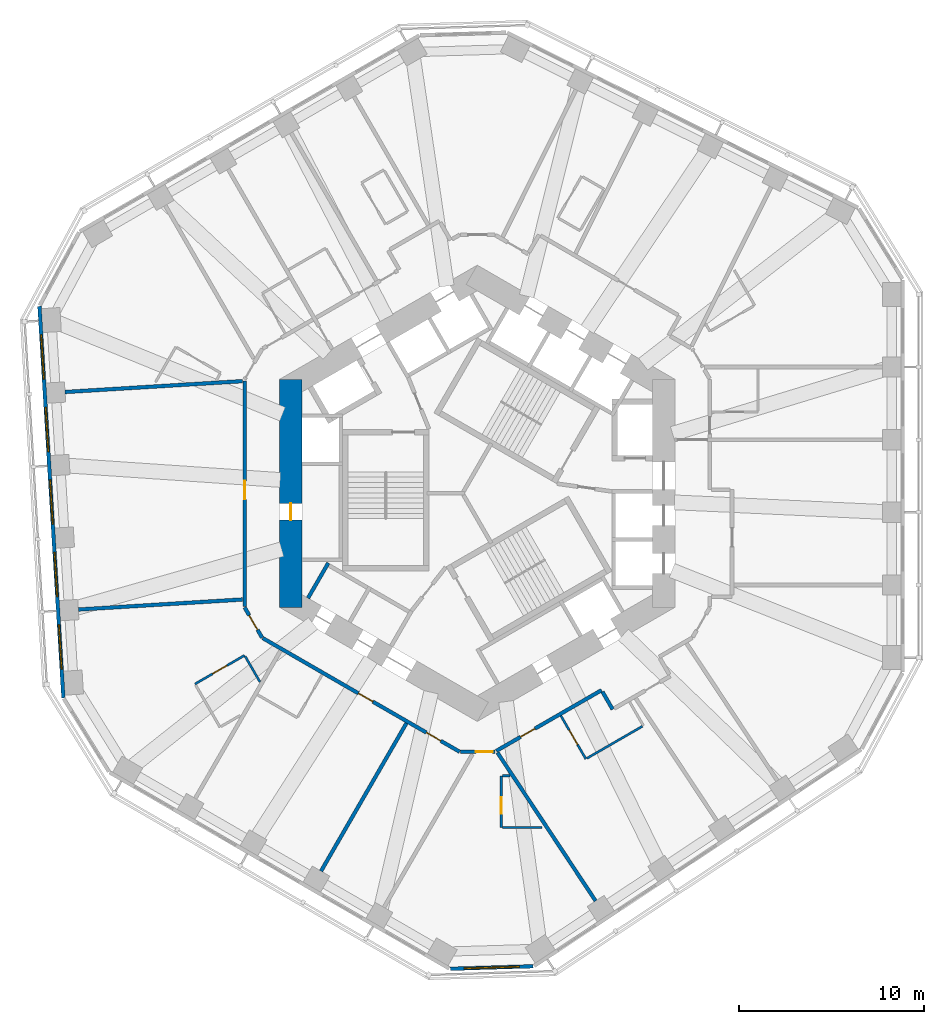
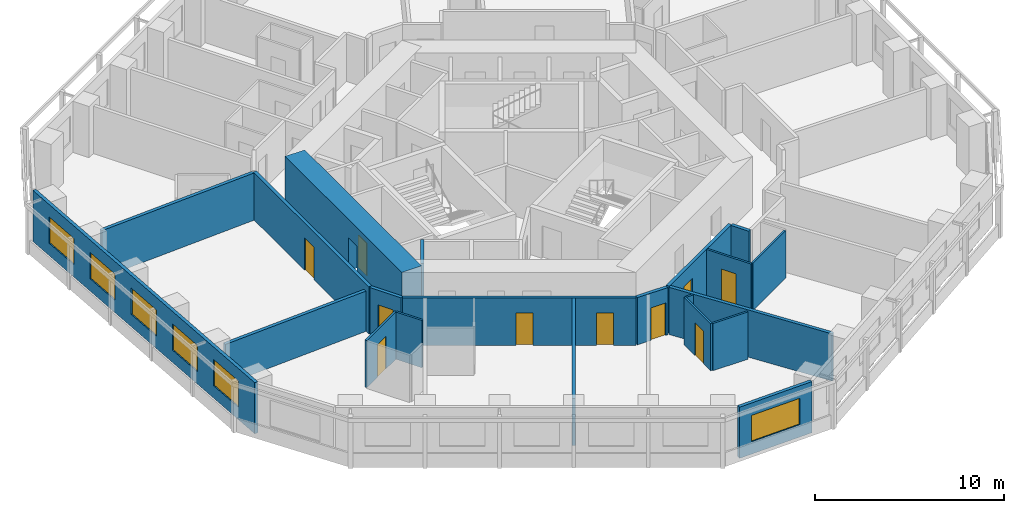
# One storey, part 4 of 12: 21 walls, 10 doors, 6 windows, 16 openings.
"""IFC4 building model written with IfcOpenShell, lengths in metres."""

from ifc_helpers import new_model, si_unit, direction, frame, frame_2d, origin, place, context, subcontext, project, spatial, rectangle, extrude, material, layer, layer_set, type_object, element, fill, save


model = new_model("IFC4")

# Units and contexts
model_context = context("Model", 3, precision=1e-05, world=origin(), true_north=direction((0.0, 1.0)))
body_context = subcontext(model_context, "Body", "Model", "MODEL_VIEW")
ifc_project = project(units=[si_unit("LENGTHUNIT", "METRE"), si_unit("AREAUNIT", "SQUARE_METRE"), si_unit("VOLUMEUNIT", "CUBIC_METRE"), si_unit("PLANEANGLEUNIT", "RADIAN"), si_unit("MASSUNIT", "GRAM", prefix="KILO")], contexts=[model_context])

# Site, building, storey
site_placement = place(None, origin())
site = spatial("IfcSite", under=ifc_project, at=site_placement, CompositionType="ELEMENT")
building_placement = place(site_placement, origin())
building = spatial("IfcBuilding", under=site, at=building_placement, Name="Vanh Sen Convention Tower", CompositionType="ELEMENT")
storey_placement = place(building_placement, frame((0.0, 0.0, 110.0)))
storey = spatial("IfcBuildingStorey", under=building, at=storey_placement, Name="L26", CompositionType="ELEMENT", Elevation=110.0)

# Wall, opening, door
ifc_material_1 = material(Name="Moisture-resistant gypsum board on steel studs", Category="steel")
ifc_layer_1 = layer(ifc_material_1, 0.1201171875)
ifc_layer_set_1 = layer_set([ifc_layer_1], Name="Moisture-resistant gypsum board on steel studs")
wall_type_1 = type_object("IfcWallType", Name="Bathroom partition 120", PredefinedType="PARTITIONING", material=ifc_layer_set_1)
wall_1_placement = place(storey_placement, frame((-15.285400390625, -10.326171875, 0.0), z_axis=(0.0, 0.0, 1.0), x_axis=(0.86600983753, 0.500026960575, 0.0)))
wall_1 = element("IfcWall", 1, at=wall_1_placement, inside=storey, type_object=wall_type_1, Name="Bathroom partition 120", PredefinedType="PARTITIONING", context=body_context, shape_type="SweptSolid", body=[
    extrude(rectangle(XDim=3.099853515625, YDim=0.1201171875, at=frame_2d((1.5498046875, 0.0))), origin(), (0.0, 0.0, 1.0), 3.050048828125),
])
opening_1_placement = place(wall_1_placement, frame((1.10009765625, 0.0, 0.0)))
opening_1 = element("IfcOpeningElement", 2, at=opening_1_placement, cuts=wall_1, Name="Opening D25120", PredefinedType="OPENING", context=body_context, shape_type="SweptSolid", body=[
    extrude(rectangle(XDim=0.89990234375, YDim=2.10009765625, at=frame_2d((0.449951171875, 1.050048828125))), frame((0.0, 0.070068359375, 0.0), z_axis=(0.0, -1.0, 0.0), x_axis=(1.0, 0.0, 0.0)), (0.0, 0.0, 1.0), 0.14013671875),
])
ifc_material_2 = material(Name="Laminate door in steel frame", Category="steel")
door_type_1 = type_object("IfcDoorType", Name="En-suite door 900", OperationType="SINGLE_SWING_LEFT", PredefinedType="DOOR", material=ifc_material_2)
door_1_placement = place(opening_1_placement, origin())
door_1 = element("IfcDoor", 3, at=door_1_placement, inside=storey, type_object=door_type_1, Name="En-suite door D25120", OperationType="SINGLE_SWING_LEFT", OverallHeight=2.10009765625, OverallWidth=0.89990234375, PredefinedType="DOOR", context=body_context, shape_type="SweptSolid", body=[
    extrude(rectangle(XDim=0.89990234375, YDim=2.10009765625, at=frame_2d((0.449951171875, 1.050048828125))), frame((0.0, 0.02490234375, 0.0), z_axis=(0.0, -1.0, 0.0), x_axis=(1.0, 0.0, 0.0)), (0.0, 0.0, 1.0), 0.050048828125),
])
fill(opening_1, door_1)

# Wall
wall_2_placement = place(storey_placement, frame((-12.57080078125, -8.828125, 0.0), z_axis=(0.0, 0.0, 1.0), x_axis=(0.499960029081, -0.866048479775, 0.0)))
element("IfcWall", 4, at=wall_2_placement, inside=storey, type_object=wall_type_1, Name="Bathroom partition 120", PredefinedType="PARTITIONING", context=body_context, shape_type="SweptSolid", body=[
    extrude(rectangle(XDim=1.601318359375, YDim=0.1201171875, at=frame_2d((0.80078125, 0.0))), origin(), (0.0, 0.0, 1.0), 3.050048828125),
])

# Wall, opening, door
wall_3_placement = place(storey_placement, frame((1.300048828125, -18.1005859375, 0.0), z_axis=(0.0, 0.0, 1.0), x_axis=(0.0, 1.0, 0.0)))
wall_3 = element("IfcWall", 5, at=wall_3_placement, inside=storey, type_object=wall_type_1, Name="Bathroom partition 120", PredefinedType="PARTITIONING", context=body_context, shape_type="SweptSolid", body=[
    extrude(rectangle(XDim=2.7998046875, YDim=0.1201171875, at=frame_2d((1.39990234375, 0.0))), origin(), (0.0, 0.0, 1.0), 3.050048828125),
])
opening_2_placement = place(wall_3_placement, frame((0.75, 0.0, 0.0)))
opening_2 = element("IfcOpeningElement", 6, at=opening_2_placement, cuts=wall_3, Name="Opening D25125", PredefinedType="OPENING", context=body_context, shape_type="SweptSolid", body=[
    extrude(rectangle(XDim=0.89990234375, YDim=2.10009765625, at=frame_2d((0.449951171875, 1.050048828125))), frame((0.0, 0.070068359375, 0.0), z_axis=(0.0, -1.0, 0.0), x_axis=(1.0, 0.0, 0.0)), (0.0, 0.0, 1.0), 0.14013671875),
])
door_2_placement = place(opening_2_placement, origin())
door_2 = element("IfcDoor", 7, at=door_2_placement, inside=storey, type_object=door_type_1, Name="En-suite door D25125", OperationType="SINGLE_SWING_LEFT", OverallHeight=2.10009765625, OverallWidth=0.89990234375, PredefinedType="DOOR", context=body_context, shape_type="SweptSolid", body=[
    extrude(rectangle(XDim=0.89990234375, YDim=2.10009765625, at=frame_2d((0.449951171875, 1.050048828125))), frame((0.0, 0.02490234375, 0.0), z_axis=(0.0, -1.0, 0.0), x_axis=(1.0, 0.0, 0.0)), (0.0, 0.0, 1.0), 0.050048828125),
])
fill(opening_2, door_2)

# Walls
wall_4_placement = place(storey_placement, frame((1.360107421875, -15.30078125, 0.0), z_axis=(0.0, 0.0, 1.0), x_axis=(1.0, 0.0, 0.0)))
element("IfcWall", 8, at=wall_4_placement, inside=storey, type_object=wall_type_1, Name="Bathroom partition 120", PredefinedType="PARTITIONING", context=body_context, shape_type="SweptSolid", body=[
    extrude(rectangle(XDim=0.415771484375, YDim=0.1201171875, at=frame_2d((0.2080078125, 0.0))), origin(), (0.0, 0.0, 1.0), 3.050048828125),
])
wall_5_placement = place(storey_placement, frame((3.5, -18.1005859375, 0.0), z_axis=(0.0, 0.0, 1.0), x_axis=(-1.0, 0.0, 0.0)))
element("IfcWall", 9, at=wall_5_placement, inside=storey, type_object=wall_type_1, Name="Bathroom partition 120", PredefinedType="PARTITIONING", context=body_context, shape_type="SweptSolid", body=[
    extrude(rectangle(XDim=2.139892578125, YDim=0.1201171875, at=frame_2d((1.06982421875, 0.0))), origin(), (0.0, 0.0, 1.0), 3.050048828125),
])

# Wall, opening, door
wall_6_placement = place(storey_placement, frame((5.880615234375, -14.38720703125, 0.0), z_axis=(0.0, 0.0, 1.0), x_axis=(-0.500048589285, 0.86599734893, 0.0)))
wall_6 = element("IfcWall", 10, at=wall_6_placement, inside=storey, type_object=wall_type_1, Name="Bathroom partition 120", PredefinedType="PARTITIONING", context=body_context, shape_type="SweptSolid", body=[
    extrude(rectangle(XDim=2.699951171875, YDim=0.1201171875, at=frame_2d((1.35009765625, 0.0))), origin(), (0.0, 0.0, 1.0), 3.050048828125),
])
opening_3_placement = place(wall_6_placement, frame((0.89990234375, 0.0, 0.0)))
opening_3 = element("IfcOpeningElement", 11, at=opening_3_placement, cuts=wall_6, Name="Opening D25127", PredefinedType="OPENING", context=body_context, shape_type="SweptSolid", body=[
    extrude(rectangle(XDim=0.89990234375, YDim=2.10009765625, at=frame_2d((0.449951171875, 1.050048828125))), frame((0.0, 0.070068359375, 0.0), z_axis=(0.0, -1.0, 0.0), x_axis=(1.0, 0.0, 0.0)), (0.0, 0.0, 1.0), 0.14013671875),
])
door_3_placement = place(opening_3_placement, origin())
door_3 = element("IfcDoor", 12, at=door_3_placement, inside=storey, type_object=door_type_1, Name="En-suite door D25127", OperationType="SINGLE_SWING_LEFT", OverallHeight=2.10009765625, OverallWidth=0.89990234375, PredefinedType="DOOR", context=body_context, shape_type="SweptSolid", body=[
    extrude(rectangle(XDim=0.89990234375, YDim=2.10009765625, at=frame_2d((0.449951171875, 1.050048828125))), frame((0.0, 0.02490234375, 0.0), z_axis=(0.0, -1.0, 0.0), x_axis=(1.0, 0.0, 0.0)), (0.0, 0.0, 1.0), 0.050048828125),
])
fill(opening_3, door_3)

# Wall
wall_7_placement = place(storey_placement, frame((8.9462890625, -12.6171875, 0.0), z_axis=(0.0, 0.0, 1.0), x_axis=(-0.865989304205, -0.500062521093, 0.0)))
element("IfcWall", 13, at=wall_7_placement, inside=storey, type_object=wall_type_1, Name="Bathroom partition 120", PredefinedType="PARTITIONING", context=body_context, shape_type="SweptSolid", body=[
    extrude(rectangle(XDim=3.47998046875, YDim=0.1201171875, at=frame_2d((1.739990234375, 0.0))), origin(), (0.0, 0.0, 1.0), 3.050048828125),
])

# Wall, opening, door
ifc_material_3 = material(Name="Concrete C80/95", Category="concrete")
ifc_layer_2 = layer(ifc_material_3, 1.199951171875)
ifc_layer_set_2 = layer_set([ifc_layer_2], Name="Concrete C80/95")
wall_type_2 = type_object("IfcWallType", Name="Core outer wall 1200 C80/95", PredefinedType="SHEAR", material=ifc_layer_set_2)
wall_8_placement = place(storey_placement, frame((-10.10009765625, 6.177490234375, 0.0), z_axis=(0.0, 0.0, 1.0), x_axis=(0.0, -1.0, 0.0)))
wall_8 = element("IfcWall", 14, at=wall_8_placement, inside=storey, type_object=wall_type_2, Name="Core wall face W L26", PredefinedType="SHEAR", context=body_context, shape_type="SweptSolid", body=[
    extrude(rectangle(XDim=12.35498046875, YDim=1.199951171875, at=frame_2d((6.177490234375, 0.0))), origin(), (0.0, 0.0, 1.0), 3.300048828125),
])
opening_4_placement = place(wall_8_placement, frame((6.7275390625, 0.0, 0.0)))
opening_4 = element("IfcOpeningElement", 15, at=opening_4_placement, cuts=wall_8, Name="Opening D25010", PredefinedType="OPENING", context=body_context, shape_type="SweptSolid", body=[
    extrude(rectangle(XDim=0.89990234375, YDim=2.10009765625, at=frame_2d((0.449951171875, 1.050048828125))), frame((0.0, 0.60986328125, 0.0), z_axis=(0.0, -1.0, 0.0), x_axis=(1.0, 0.0, 0.0)), (0.0, 0.0, 1.0), 1.219970703125),
])
ifc_material_4 = material(Name="Steel S355", Category="steel")
door_type_2 = type_object("IfcDoorType", Name="Plant door 900", OperationType="SINGLE_SWING_LEFT", PredefinedType="DOOR", material=ifc_material_4)
door_4_placement = place(opening_4_placement, origin())
door_4 = element("IfcDoor", 16, at=door_4_placement, inside=storey, type_object=door_type_2, Name="Plant door D25010", OperationType="SINGLE_SWING_LEFT", OverallHeight=2.10009765625, OverallWidth=0.89990234375, PredefinedType="DOOR", context=body_context, shape_type="SweptSolid", body=[
    extrude(rectangle(XDim=0.89990234375, YDim=2.10009765625, at=frame_2d((0.449951171875, 1.050048828125))), frame((0.0, 0.02490234375, 0.0), z_axis=(0.0, -1.0, 0.0), x_axis=(1.0, 0.0, 0.0)), (0.0, 0.0, 1.0), 0.050048828125),
])
fill(opening_4, door_4)

ifc_material_5 = material(Name="Gypsum board on steel studs with mineral wool", Category="steel")
ifc_layer_3 = layer(ifc_material_5, 0.199951171875)
ifc_layer_set_3 = layer_set([ifc_layer_3], Name="Gypsum board on steel studs with mineral wool")
wall_type_3 = type_object("IfcWallType", Name="Corridor partition wall 200", PredefinedType="PARTITIONING", material=ifc_layer_set_3)
wall_9_placement = place(storey_placement, frame((-12.60009765625, -6.177490234375, 0.0), z_axis=(0.0, 0.0, 1.0), x_axis=(0.500063520245, -0.865988727248, 0.0)))
wall_9 = element("IfcWall", 17, at=wall_9_placement, inside=storey, type_object=wall_type_3, Name="Corridor partition wall 200", PredefinedType="PARTITIONING", context=body_context, shape_type="SweptSolid", body=[
    extrude(rectangle(XDim=1.900146484375, YDim=0.199951171875, at=frame_2d((0.9501953125, 0.0))), origin(), (0.0, 0.0, 1.0), 3.050048828125),
])
opening_5_placement = place(wall_9_placement, frame((0.5, 0.0, 0.0)))
opening_5 = element("IfcOpeningElement", 18, at=opening_5_placement, cuts=wall_9, Name="Opening D25119", PredefinedType="OPENING", context=body_context, shape_type="SweptSolid", body=[
    extrude(rectangle(XDim=0.89990234375, YDim=2.10009765625, at=frame_2d((0.449951171875, 1.050048828125))), frame((0.0, 0.10986328125, 0.0), z_axis=(0.0, -1.0, 0.0), x_axis=(1.0, 0.0, 0.0)), (0.0, 0.0, 1.0), 0.219970703125),
])
ifc_material_6 = material(Name="Timber fire door in steel frame", Category="steel")
door_type_3 = type_object("IfcDoorType", Name="Guest room door 900", OperationType="SINGLE_SWING_LEFT", PredefinedType="DOOR", material=ifc_material_6)
door_5_placement = place(opening_5_placement, origin())
door_5 = element("IfcDoor", 19, at=door_5_placement, inside=storey, type_object=door_type_3, Name="Hotel guest room door D25119", OperationType="SINGLE_SWING_LEFT", OverallHeight=2.10009765625, OverallWidth=0.89990234375, PredefinedType="DOOR", context=body_context, shape_type="SweptSolid", body=[
    extrude(rectangle(XDim=0.89990234375, YDim=2.10009765625, at=frame_2d((0.449951171875, 1.050048828125))), frame((0.0, 0.02490234375, 0.0), z_axis=(0.0, -1.0, 0.0), x_axis=(1.0, 0.0, 0.0)), (0.0, 0.0, 1.0), 0.050048828125),
])
fill(opening_5, door_5)

wall_10_placement = place(storey_placement, frame((-12.60009765625, 6.081298828125, 0.0), z_axis=(0.0, 0.0, 1.0), x_axis=(0.0, -1.0, 0.0)))
wall_10 = element("IfcWall", 20, at=wall_10_placement, inside=storey, type_object=wall_type_3, Name="Corridor partition wall 200", PredefinedType="PARTITIONING", context=body_context, shape_type="SweptSolid", body=[
    extrude(rectangle(XDim=12.218994140625, YDim=0.199951171875, at=frame_2d((6.109375, 0.0))), origin(), (0.0, 0.0, 1.0), 3.050048828125),
])
opening_6_placement = place(wall_10_placement, frame((5.412841796875, 0.0, 0.0)))
opening_6 = element("IfcOpeningElement", 21, at=opening_6_placement, cuts=wall_10, Name="Opening D25118", PredefinedType="OPENING", context=body_context, shape_type="SweptSolid", body=[
    extrude(rectangle(XDim=1.0, YDim=2.10009765625, at=frame_2d((0.5, 1.050048828125))), frame((0.0, 0.10986328125, 0.0), z_axis=(0.0, -1.0, 0.0), x_axis=(1.0, 0.0, 0.0)), (0.0, 0.0, 1.0), 0.219970703125),
])
door_type_4 = type_object("IfcDoorType", Name="Floor room door 1000", OperationType="SINGLE_SWING_LEFT", PredefinedType="DOOR", material=ifc_material_6)
door_6_placement = place(opening_6_placement, origin())
door_6 = element("IfcDoor", 22, at=door_6_placement, inside=storey, type_object=door_type_4, Name="Meeting and amenity room door D25118", OperationType="SINGLE_SWING_LEFT", OverallHeight=2.10009765625, OverallWidth=1.0, PredefinedType="DOOR", context=body_context, shape_type="SweptSolid", body=[
    extrude(rectangle(XDim=1.0, YDim=2.10009765625, at=frame_2d((0.5, 1.050048828125))), frame((0.0, 0.02490234375, 0.0), z_axis=(0.0, -1.0, 0.0), x_axis=(1.0, 0.0, 0.0)), (0.0, 0.0, 1.0), 0.050048828125),
])
fill(opening_6, door_6)

# Wall, openings, doors
wall_11_placement = place(storey_placement, frame((-11.615478515625, -7.843017578125, 0.0), z_axis=(0.0, 0.0, 1.0), x_axis=(0.866026466995, -0.499998158461, 0.0)))
wall_11 = element("IfcWall", 23, at=wall_11_placement, inside=storey, type_object=wall_type_3, Name="Corridor partition wall 200", PredefinedType="PARTITIONING", context=body_context, shape_type="SweptSolid", body=[
    extrude(rectangle(XDim=12.3154296875, YDim=0.199951171875, at=frame_2d((6.15771484375, 0.0))), origin(), (0.0, 0.0, 1.0), 3.050048828125),
])
opening_7_placement = place(wall_11_placement, frame((5.982666015625, 0.0, 0.0)))
opening_7 = element("IfcOpeningElement", 24, at=opening_7_placement, cuts=wall_11, Name="Opening D25121", PredefinedType="OPENING", context=body_context, shape_type="SweptSolid", body=[
    extrude(rectangle(XDim=0.89990234375, YDim=2.10009765625, at=frame_2d((0.449951171875, 1.050048828125))), frame((0.0, 0.10986328125, 0.0), z_axis=(0.0, -1.0, 0.0), x_axis=(1.0, 0.0, 0.0)), (0.0, 0.0, 1.0), 0.219970703125),
])
opening_8_placement = place(wall_11_placement, frame((10.228759765625, 0.0, 0.0)))
opening_8 = element("IfcOpeningElement", 25, at=opening_8_placement, cuts=wall_11, Name="Opening D25123", PredefinedType="OPENING", context=body_context, shape_type="SweptSolid", body=[
    extrude(rectangle(XDim=0.89990234375, YDim=2.10009765625, at=frame_2d((0.449951171875, 1.050048828125))), frame((0.0, 0.10986328125, 0.0), z_axis=(0.0, -1.0, 0.0), x_axis=(1.0, 0.0, 0.0)), (0.0, 0.0, 1.0), 0.219970703125),
])
door_type_5 = type_object("IfcDoorType", Name="Floor service door 900", OperationType="SINGLE_SWING_LEFT", PredefinedType="DOOR", material=ifc_material_6)
door_7_placement = place(opening_8_placement, origin())
door_7 = element("IfcDoor", 26, at=door_7_placement, inside=storey, type_object=door_type_5, Name="Service room door D25123", OperationType="SINGLE_SWING_LEFT", OverallHeight=2.10009765625, OverallWidth=0.89990234375, PredefinedType="DOOR", context=body_context, shape_type="SweptSolid", body=[
    extrude(rectangle(XDim=0.89990234375, YDim=2.10009765625, at=frame_2d((0.449951171875, 1.050048828125))), frame((0.0, 0.02490234375, 0.0), z_axis=(0.0, -1.0, 0.0), x_axis=(1.0, 0.0, 0.0)), (0.0, 0.0, 1.0), 0.050048828125),
])
fill(opening_8, door_7)
door_8_placement = place(opening_7_placement, origin())
door_8 = element("IfcDoor", 27, at=door_8_placement, inside=storey, type_object=door_type_3, Name="Hotel guest room door D25121", OperationType="SINGLE_SWING_LEFT", OverallHeight=2.10009765625, OverallWidth=0.89990234375, PredefinedType="DOOR", context=body_context, shape_type="SweptSolid", body=[
    extrude(rectangle(XDim=0.89990234375, YDim=2.10009765625, at=frame_2d((0.449951171875, 1.050048828125))), frame((0.0, 0.02490234375, 0.0), z_axis=(0.0, -1.0, 0.0), x_axis=(1.0, 0.0, 0.0)), (0.0, 0.0, 1.0), 0.050048828125),
])
fill(opening_7, door_8)

# Wall, opening, door
wall_12_placement = place(storey_placement, frame((-0.909912109375, -14.000732421875, 0.0), z_axis=(0.0, 0.0, 1.0), x_axis=(1.0, 0.0, 0.0)))
wall_12 = element("IfcWall", 28, at=wall_12_placement, inside=storey, type_object=wall_type_3, Name="Corridor partition wall 200", PredefinedType="PARTITIONING", context=body_context, shape_type="SweptSolid", body=[
    extrude(rectangle(XDim=1.85986328125, YDim=0.199951171875, at=frame_2d((0.929931640625, 0.0))), origin(), (0.0, 0.0, 1.0), 3.050048828125),
])
opening_9_placement = place(wall_12_placement, frame((0.841796875, 0.0, 0.0)))
opening_9 = element("IfcOpeningElement", 29, at=opening_9_placement, cuts=wall_12, Name="Opening D25124", PredefinedType="OPENING", context=body_context, shape_type="SweptSolid", body=[
    extrude(rectangle(XDim=0.89990234375, YDim=2.10009765625, at=frame_2d((0.449951171875, 1.050048828125))), frame((0.0, 0.10986328125, 0.0), z_axis=(0.0, -1.0, 0.0), x_axis=(1.0, 0.0, 0.0)), (0.0, 0.0, 1.0), 0.219970703125),
])
door_9_placement = place(opening_9_placement, origin())
door_9 = element("IfcDoor", 30, at=door_9_placement, inside=storey, type_object=door_type_3, Name="Hotel guest room door D25124", OperationType="SINGLE_SWING_LEFT", OverallHeight=2.10009765625, OverallWidth=0.89990234375, PredefinedType="DOOR", context=body_context, shape_type="SweptSolid", body=[
    extrude(rectangle(XDim=0.89990234375, YDim=2.10009765625, at=frame_2d((0.449951171875, 1.050048828125))), frame((0.0, 0.02490234375, 0.0), z_axis=(0.0, -1.0, 0.0), x_axis=(1.0, 0.0, 0.0)), (0.0, 0.0, 1.0), 0.050048828125),
])
fill(opening_9, door_9)

wall_13_placement = place(storey_placement, frame((1.033447265625, -13.95263671875, 0.0), z_axis=(0.0, 0.0, 1.0), x_axis=(0.866017531406, 0.500013635111, 0.0)))
wall_13 = element("IfcWall", 31, at=wall_13_placement, inside=storey, type_object=wall_type_3, Name="Corridor partition wall 200", PredefinedType="PARTITIONING", context=body_context, shape_type="SweptSolid", body=[
    extrude(rectangle(XDim=6.580322265625, YDim=0.199951171875, at=frame_2d((3.2900390625, 0.0))), origin(), (0.0, 0.0, 1.0), 3.050048828125),
])
opening_10_placement = place(wall_13_placement, frame((1.51513671875, 0.0, 0.0)))
opening_10 = element("IfcOpeningElement", 32, at=opening_10_placement, cuts=wall_13, Name="Opening D25126", PredefinedType="OPENING", context=body_context, shape_type="SweptSolid", body=[
    extrude(rectangle(XDim=0.89990234375, YDim=2.10009765625, at=frame_2d((0.449951171875, 1.050048828125))), frame((0.0, 0.10986328125, 0.0), z_axis=(0.0, -1.0, 0.0), x_axis=(1.0, 0.0, 0.0)), (0.0, 0.0, 1.0), 0.219970703125),
])
door_10_placement = place(opening_10_placement, origin())
door_10 = element("IfcDoor", 33, at=door_10_placement, inside=storey, type_object=door_type_3, Name="Hotel guest room door D25126", OperationType="SINGLE_SWING_LEFT", OverallHeight=2.10009765625, OverallWidth=0.89990234375, PredefinedType="DOOR", context=body_context, shape_type="SweptSolid", body=[
    extrude(rectangle(XDim=0.89990234375, YDim=2.10009765625, at=frame_2d((0.449951171875, 1.050048828125))), frame((0.0, 0.02490234375, 0.0), z_axis=(0.0, -1.0, 0.0), x_axis=(1.0, 0.0, 0.0)), (0.0, 0.0, 1.0), 0.050048828125),
])
fill(opening_10, door_10)

# Wall
wall_14_placement = place(storey_placement, frame((6.781982421875, -10.7490234375, 0.0), z_axis=(0.0, 0.0, 1.0), x_axis=(0.500074377092, -0.865982457891, 0.0)))
element("IfcWall", 34, at=wall_14_placement, inside=storey, type_object=wall_type_3, Name="Corridor partition wall 200", PredefinedType="PARTITIONING", context=body_context, shape_type="SweptSolid", body=[
    extrude(rectangle(XDim=1.100830078125, YDim=0.199951171875, at=frame_2d((0.55029296875, 0.0))), origin(), (0.0, 0.0, 1.0), 3.050048828125),
])

# Wall, openings, windows
ifc_material_7 = material(Name="Insulated lightweight infill wall")
ifc_layer_4 = layer(ifc_material_7, 0.199951171875)
ifc_layer_set_4 = layer_set([ifc_layer_4], Name="Insulated lightweight infill wall")
wall_type_4 = type_object("IfcWallType", Name="External wall 200", PredefinedType="STANDARD", material=ifc_layer_set_4)
wall_15_placement = place(storey_placement, frame((-23.712646484375, 10.130859375, 0.0), z_axis=(0.0, 0.0, 1.0), x_axis=(0.061040439785, -0.998135293791, 0.0)))
wall_15 = element("IfcWall", 35, at=wall_15_placement, inside=storey, type_object=wall_type_4, Name="External wall W L26", PredefinedType="STANDARD", context=body_context, shape_type="SweptSolid", body=[
    extrude(rectangle(XDim=21.24609375, YDim=0.199951171875, at=frame_2d((10.623046875, 0.0))), origin(), (0.0, 0.0, 1.0), 3.300048828125),
])
opening_11_placement = place(wall_15_placement, frame((1.552978515625, 0.0, 0.800048828125)))
opening_11 = element("IfcOpeningElement", 36, at=opening_11_placement, cuts=wall_15, Name="Opening WH1-W1", PredefinedType="OPENING", context=body_context, shape_type="SweptSolid", body=[
    extrude(rectangle(XDim=2.39990234375, YDim=1.699951171875, at=frame_2d((1.199951171875, 0.85009765625))), frame((0.0, 0.10986328125, 0.0), z_axis=(0.0, -1.0, 0.0), x_axis=(1.0, 0.0, 0.0)), (0.0, 0.0, 1.0), 0.219970703125),
])
opening_12_placement = place(wall_15_placement, frame((5.48779296875, 0.0, 0.800048828125)))
opening_12 = element("IfcOpeningElement", 37, at=opening_12_placement, cuts=wall_15, Name="Opening WH1-W2", PredefinedType="OPENING", context=body_context, shape_type="SweptSolid", body=[
    extrude(rectangle(XDim=2.39990234375, YDim=1.699951171875, at=frame_2d((1.199951171875, 0.85009765625))), frame((0.0, 0.10986328125, 0.0), z_axis=(0.0, -1.0, 0.0), x_axis=(1.0, 0.0, 0.0)), (0.0, 0.0, 1.0), 0.219970703125),
])
opening_13_placement = place(wall_15_placement, frame((9.42236328125, 0.0, 0.800048828125)))
opening_13 = element("IfcOpeningElement", 38, at=opening_13_placement, cuts=wall_15, Name="Opening WH1-W3", PredefinedType="OPENING", context=body_context, shape_type="SweptSolid", body=[
    extrude(rectangle(XDim=2.39990234375, YDim=1.699951171875, at=frame_2d((1.199951171875, 0.85009765625))), frame((0.0, 0.10986328125, 0.0), z_axis=(0.0, -1.0, 0.0), x_axis=(1.0, 0.0, 0.0)), (0.0, 0.0, 1.0), 0.219970703125),
])
opening_14_placement = place(wall_15_placement, frame((13.35693359375, 0.0, 0.800048828125)))
opening_14 = element("IfcOpeningElement", 39, at=opening_14_placement, cuts=wall_15, Name="Opening WH1-W4", PredefinedType="OPENING", context=body_context, shape_type="SweptSolid", body=[
    extrude(rectangle(XDim=2.39990234375, YDim=1.699951171875, at=frame_2d((1.199951171875, 0.85009765625))), frame((0.0, 0.10986328125, 0.0), z_axis=(0.0, -1.0, 0.0), x_axis=(1.0, 0.0, 0.0)), (0.0, 0.0, 1.0), 0.219970703125),
])
opening_15_placement = place(wall_15_placement, frame((17.29150390625, 0.0, 0.800048828125)))
opening_15 = element("IfcOpeningElement", 40, at=opening_15_placement, cuts=wall_15, Name="Opening WH1-W5", PredefinedType="OPENING", context=body_context, shape_type="SweptSolid", body=[
    extrude(rectangle(XDim=2.39990234375, YDim=1.699951171875, at=frame_2d((1.199951171875, 0.85009765625))), frame((0.0, 0.10986328125, 0.0), z_axis=(0.0, -1.0, 0.0), x_axis=(1.0, 0.0, 0.0)), (0.0, 0.0, 1.0), 0.219970703125),
])
ifc_material_8 = material(Name="Aluminium frame with clear low-emissivity glass", Category="aluminium")
window_type_1 = type_object("IfcWindowType", Name="Hotel window 2400 x 1700", PartitioningType="SINGLE_PANEL", PredefinedType="WINDOW", material=ifc_material_8)
window_1_placement = place(opening_11_placement, origin())
window_1 = element("IfcWindow", 41, at=window_1_placement, inside=storey, type_object=window_type_1, Name="Window WH1-W1", OverallHeight=1.699951171875, OverallWidth=2.39990234375, PartitioningType="SINGLE_PANEL", PredefinedType="WINDOW", context=body_context, shape_type="SweptSolid", body=[
    extrude(rectangle(XDim=2.39990234375, YDim=1.699951171875, at=frame_2d((1.199951171875, 0.85009765625))), frame((0.0, 0.030029296875, 0.0), z_axis=(0.0, -1.0, 0.0), x_axis=(1.0, 0.0, 0.0)), (0.0, 0.0, 1.0), 0.06005859375),
])
fill(opening_11, window_1)
window_2_placement = place(opening_12_placement, origin())
window_2 = element("IfcWindow", 42, at=window_2_placement, inside=storey, type_object=window_type_1, Name="Window WH1-W2", OverallHeight=1.699951171875, OverallWidth=2.39990234375, PartitioningType="SINGLE_PANEL", PredefinedType="WINDOW", context=body_context, shape_type="SweptSolid", body=[
    extrude(rectangle(XDim=2.39990234375, YDim=1.699951171875, at=frame_2d((1.199951171875, 0.85009765625))), frame((0.0, 0.030029296875, 0.0), z_axis=(0.0, -1.0, 0.0), x_axis=(1.0, 0.0, 0.0)), (0.0, 0.0, 1.0), 0.06005859375),
])
fill(opening_12, window_2)
window_3_placement = place(opening_13_placement, origin())
window_3 = element("IfcWindow", 43, at=window_3_placement, inside=storey, type_object=window_type_1, Name="Window WH1-W3", OverallHeight=1.699951171875, OverallWidth=2.39990234375, PartitioningType="SINGLE_PANEL", PredefinedType="WINDOW", context=body_context, shape_type="SweptSolid", body=[
    extrude(rectangle(XDim=2.39990234375, YDim=1.699951171875, at=frame_2d((1.199951171875, 0.85009765625))), frame((0.0, 0.030029296875, 0.0), z_axis=(0.0, -1.0, 0.0), x_axis=(1.0, 0.0, 0.0)), (0.0, 0.0, 1.0), 0.06005859375),
])
fill(opening_13, window_3)
window_4_placement = place(opening_14_placement, origin())
window_4 = element("IfcWindow", 44, at=window_4_placement, inside=storey, type_object=window_type_1, Name="Window WH1-W4", OverallHeight=1.699951171875, OverallWidth=2.39990234375, PartitioningType="SINGLE_PANEL", PredefinedType="WINDOW", context=body_context, shape_type="SweptSolid", body=[
    extrude(rectangle(XDim=2.39990234375, YDim=1.699951171875, at=frame_2d((1.199951171875, 0.85009765625))), frame((0.0, 0.030029296875, 0.0), z_axis=(0.0, -1.0, 0.0), x_axis=(1.0, 0.0, 0.0)), (0.0, 0.0, 1.0), 0.06005859375),
])
fill(opening_14, window_4)
window_5_placement = place(opening_15_placement, origin())
window_5 = element("IfcWindow", 45, at=window_5_placement, inside=storey, type_object=window_type_1, Name="Window WH1-W5", OverallHeight=1.699951171875, OverallWidth=2.39990234375, PartitioningType="SINGLE_PANEL", PredefinedType="WINDOW", context=body_context, shape_type="SweptSolid", body=[
    extrude(rectangle(XDim=2.39990234375, YDim=1.699951171875, at=frame_2d((1.199951171875, 0.85009765625))), frame((0.0, 0.030029296875, 0.0), z_axis=(0.0, -1.0, 0.0), x_axis=(1.0, 0.0, 0.0)), (0.0, 0.0, 1.0), 0.06005859375),
])
fill(opening_15, window_5)

# Wall, opening, window
wall_16_placement = place(storey_placement, frame((-1.461181640625, -25.7548828125, 0.0), z_axis=(0.0, 0.0, 1.0), x_axis=(0.999533823446, 0.030530898895, 0.0)))
wall_16 = element("IfcWall", 46, at=wall_16_placement, inside=storey, type_object=wall_type_4, Name="External wall CH5 L26", PredefinedType="STANDARD", context=body_context, shape_type="SweptSolid", body=[
    extrude(rectangle(XDim=4.494140625, YDim=0.199951171875, at=frame_2d((2.2470703125, 0.0))), origin(), (0.0, 0.0, 1.0), 3.300048828125),
])
opening_16_placement = place(wall_16_placement, frame((0.7470703125, 0.0, 0.800048828125)))
opening_16 = element("IfcOpeningElement", 47, at=opening_16_placement, cuts=wall_16, Name="Opening WH2-CH51", PredefinedType="OPENING", context=body_context, shape_type="SweptSolid", body=[
    extrude(rectangle(XDim=3.0, YDim=1.699951171875, at=frame_2d((1.5, 0.85009765625))), frame((0.0, 0.10986328125, 0.0), z_axis=(0.0, -1.0, 0.0), x_axis=(1.0, 0.0, 0.0)), (0.0, 0.0, 1.0), 0.219970703125),
])
window_type_2 = type_object("IfcWindowType", Name="Hotel window 3000 x 1700", PartitioningType="SINGLE_PANEL", PredefinedType="WINDOW", material=ifc_material_8)
window_6_placement = place(opening_16_placement, origin())
window_6 = element("IfcWindow", 48, at=window_6_placement, inside=storey, type_object=window_type_2, Name="Window WH2-CH51", OverallHeight=1.699951171875, OverallWidth=3.0, PartitioningType="SINGLE_PANEL", PredefinedType="WINDOW", context=body_context, shape_type="SweptSolid", body=[
    extrude(rectangle(XDim=3.0, YDim=1.699951171875, at=frame_2d((1.5, 0.85009765625))), frame((0.0, 0.030029296875, 0.0), z_axis=(0.0, -1.0, 0.0), x_axis=(1.0, 0.0, 0.0)), (0.0, 0.0, 1.0), 0.06005859375),
])
fill(opening_16, window_6)

# Walls
ifc_layer_5 = layer(ifc_material_5, 0.199951171875)
ifc_layer_set_5 = layer_set([ifc_layer_5], Name="Gypsum board on steel studs with mineral wool")
wall_type_5 = type_object("IfcWallType", Name="Hotel party wall 200", PredefinedType="PARTITIONING", material=ifc_layer_set_5)
wall_17_placement = place(storey_placement, frame((-22.32666015625, 5.486328125, 0.0), z_axis=(0.0, 0.0, 1.0), x_axis=(0.998135194863, 0.061042057435, 0.0)))
element("IfcWall", 49, at=wall_17_placement, inside=storey, type_object=wall_type_5, Name="Hotel party wall 200", PredefinedType="PARTITIONING", context=body_context, shape_type="SweptSolid", body=[
    extrude(rectangle(XDim=9.635009765625, YDim=0.199951171875, at=frame_2d((4.8173828125, 0.0))), origin(), (0.0, 0.0, 1.0), 3.050048828125),
])
wall_18_placement = place(storey_placement, frame((-21.60595703125, -6.29541015625, 0.0), z_axis=(0.0, 0.0, 1.0), x_axis=(0.998134305525, 0.061056597794, 0.0)))
element("IfcWall", 50, at=wall_18_placement, inside=storey, type_object=wall_type_5, Name="Hotel party wall 200", PredefinedType="PARTITIONING", context=body_context, shape_type="SweptSolid", body=[
    extrude(rectangle(XDim=8.912841796875, YDim=0.199951171875, at=frame_2d((4.45654296875, 0.0))), origin(), (0.0, 0.0, 1.0), 2.60009765625),
])
wall_19_placement = place(storey_placement, frame((-8.459716796875, -20.46142578125, 0.0), z_axis=(0.0, 0.0, 1.0), x_axis=(0.499999662836, 0.866025598446, 0.0)))
element("IfcWall", 51, at=wall_19_placement, inside=storey, type_object=wall_type_5, Name="Hotel party wall 200", PredefinedType="PARTITIONING", context=body_context, shape_type="SweptSolid", body=[
    extrude(rectangle(XDim=9.25, YDim=0.199951171875, at=frame_2d((4.625, 0.0))), origin(), (0.0, 0.0, 1.0), 3.050048828125),
])
wall_20_placement = place(storey_placement, frame((6.411865234375, -22.07861328125, 0.0), z_axis=(0.0, 0.0, 1.0), x_axis=(-0.551919507115, 0.83389739037, 0.0)))
element("IfcWall", 52, at=wall_20_placement, inside=storey, type_object=wall_type_5, Name="Hotel party wall 200", PredefinedType="PARTITIONING", context=body_context, shape_type="SweptSolid", body=[
    extrude(rectangle(XDim=9.634765625, YDim=0.199951171875, at=frame_2d((4.8173828125, 0.0))), origin(), (0.0, 0.0, 1.0), 3.050048828125),
])
ifc_material_9 = material(Name="Concrete C40/50", Category="concrete")
ifc_layer_6 = layer(ifc_material_9, 0.199951171875)
ifc_layer_set_6 = layer_set([ifc_layer_6], Name="Concrete C40/50")
wall_type_6 = type_object("IfcWallType", Name="Lift shaft wall 200", PredefinedType="PARTITIONING", material=ifc_layer_set_6)
wall_21_placement = place(storey_placement, frame((-8.066650390625, -3.77197265625, 0.0), z_axis=(0.0, 0.0, 1.0), x_axis=(-0.50002983664, -0.866008176907, 0.0)))
element("IfcWall", 53, at=wall_21_placement, inside=storey, type_object=wall_type_6, Name="Lift shaft wall L26", PredefinedType="PARTITIONING", context=body_context, shape_type="SweptSolid", body=[
    extrude(rectangle(XDim=2.199951171875, YDim=0.199951171875, at=frame_2d((1.10009765625, 0.0))), origin(), (0.0, 0.0, 1.0), 3.050048828125),
])

save(model, "model.ifc")
